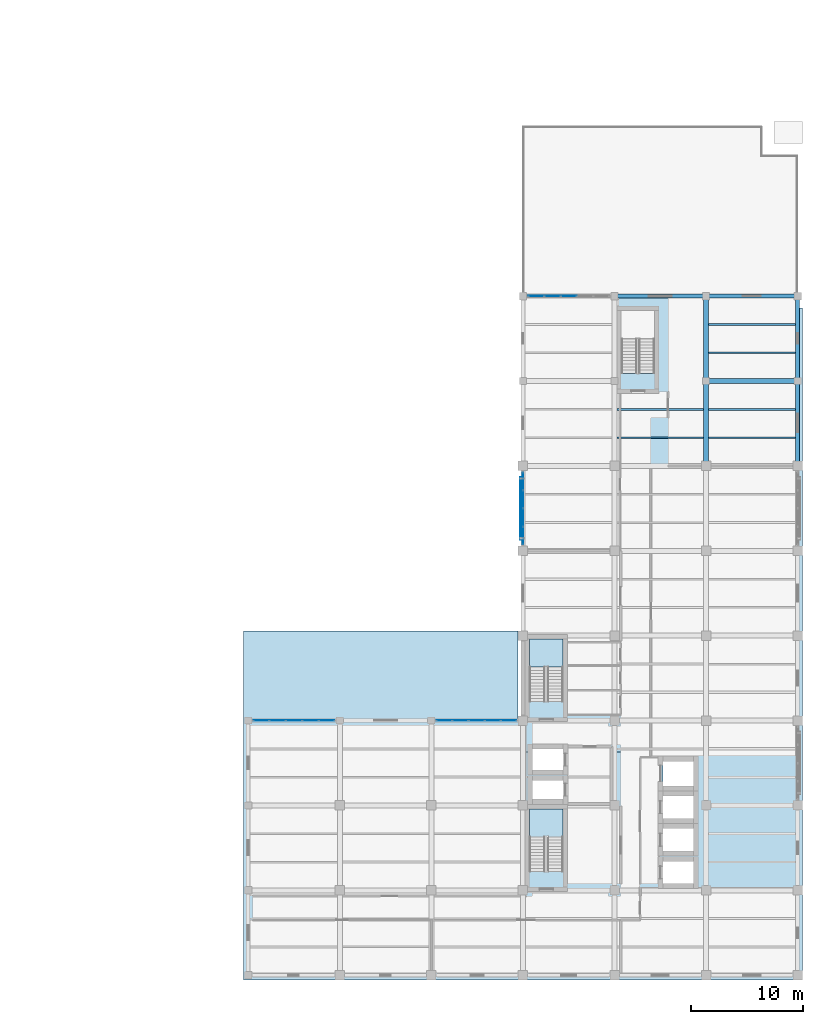
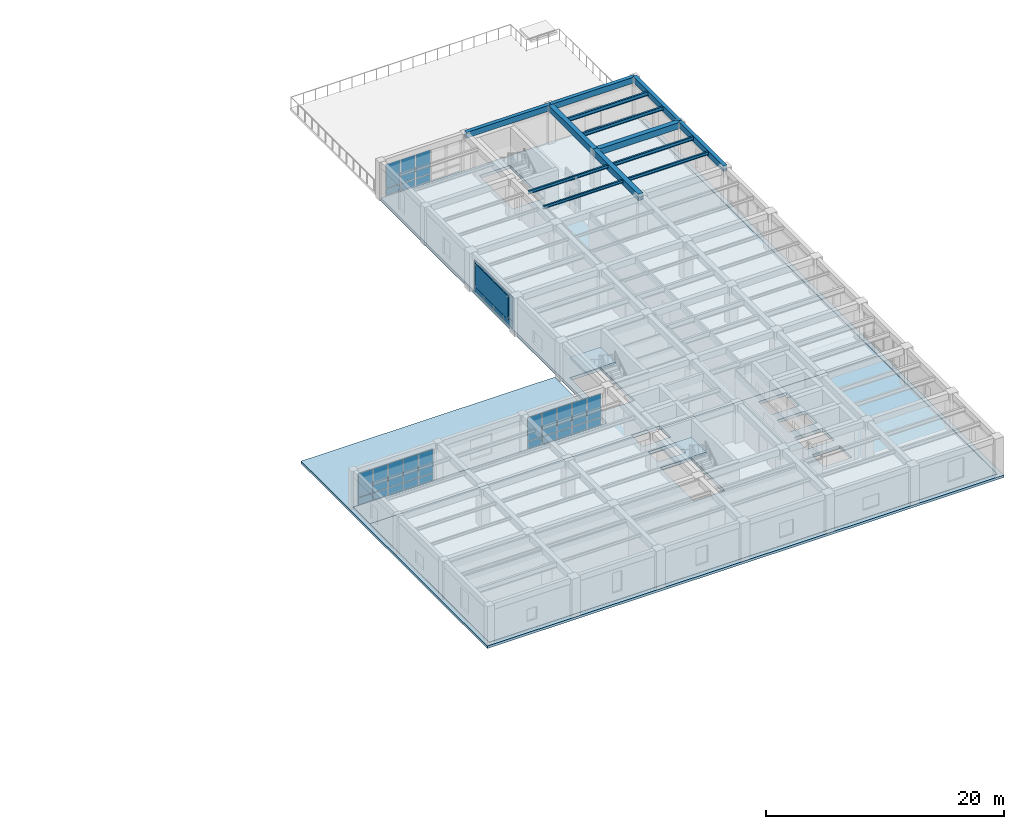
# One storey, part 8 of 22: 35 plates, 13 beams, 5 slabs, 6 elements without a shape of their own.
"""IFC4 building model written with IfcOpenShell, lengths in metres."""

from ifc_helpers import new_model, si_unit, direction, frame, origin, origin_2d, place, context, subcontext, project, spatial, polyline, rectangle, i_section, outline, extrude, material, layer, layer_set, material_profile, profile_set, type_object, element, aggregate, save


model = new_model("IFC4")

# Units and contexts
model_context = context("Model", 3, precision=1e-05, world=origin(), true_north=direction((0.0, 1.0)))
body_context = subcontext(model_context, "Body", "Model", "MODEL_VIEW")
ifc_project = project(units=[si_unit("LENGTHUNIT", "METRE"), si_unit("AREAUNIT", "SQUARE_METRE"), si_unit("VOLUMEUNIT", "CUBIC_METRE"), si_unit("PLANEANGLEUNIT", "RADIAN"), si_unit("MASSUNIT", "GRAM", prefix="KILO")], contexts=[model_context])

# Site, building, storey
site_placement = place(None, origin())
site = spatial("IfcSite", under=ifc_project, at=site_placement, CompositionType="ELEMENT")
building_placement = place(site_placement, origin())
building = spatial("IfcBuilding", under=site, at=building_placement, Name="Qandaris Square Conservatory and Botanical Centre", CompositionType="ELEMENT")
storey_placement = place(building_placement, frame((0.0, 0.0, 19.800048828125)))
storey = spatial("IfcBuildingStorey", under=building, at=storey_placement, Name="L04", CompositionType="ELEMENT", Elevation=19.800048828125)

# Beams
ifc_material_1 = material(Name="Steel S355", Category="steel")
ifc_material_profile_1 = material_profile(ifc_material_1, i_section(OverallWidth=0.14990234375, OverallDepth=0.300048828125, WebThickness=0.007080078125, FlangeThickness=0.0107421875, FilletRadius=0.014892578125, at=origin_2d()), Name="IPE 300")
ifc_profile_set_1 = profile_set([ifc_material_profile_1], Name="Steel S355")
beam_type_1 = type_object("IfcBeamType", Name="Composite Lab Joist IPE 300", PredefinedType="JOIST", material=ifc_profile_set_1)
beam_1_placement = place(storey_placement, frame((147.625, 64.7333984375, 3.780029296875), z_axis=(1.0, 0.0, 0.0), x_axis=(0.0, 1.0, 0.0)))
element("IfcBeam", 1, at=beam_1_placement, inside=storey, type_object=beam_type_1, Name="L04 Composite Joist 1805", PredefinedType="JOIST", context=body_context, shape_type="SweptSolid", body=[
    extrude(i_section(OverallWidth=0.14990234375, OverallDepth=0.300048828125, WebThickness=0.007080078125, FlangeThickness=0.0107421875, FilletRadius=0.014892578125, at=origin_2d()), origin(), (0.0, 0.0, 1.0), 7.75),
])
ifc_material_profile_2 = material_profile(ifc_material_1, i_section(OverallWidth=0.159912109375, OverallDepth=0.330078125, WebThickness=0.007568359375, FlangeThickness=0.011474609375, FilletRadius=0.01806640625, at=origin_2d()), Name="IPE 330")
ifc_profile_set_2 = profile_set([ifc_material_profile_2], Name="Steel S355")
beam_type_2 = type_object("IfcBeamType", Name="Composite Lab Joist IPE 330", PredefinedType="JOIST", material=ifc_profile_set_2)
beam_2_placement = place(storey_placement, frame((147.625, 67.2666015625, 3.764892578125), z_axis=(1.0, 0.0, 0.0), x_axis=(0.0, 1.0, 0.0)))
element("IfcBeam", 2, at=beam_2_placement, inside=storey, type_object=beam_type_2, Name="L04 Composite Joist 1806", PredefinedType="JOIST", context=body_context, shape_type="SweptSolid", body=[
    extrude(i_section(OverallWidth=0.159912109375, OverallDepth=0.330078125, WebThickness=0.007568359375, FlangeThickness=0.011474609375, FilletRadius=0.01806640625, at=origin_2d()), origin(), (0.0, 0.0, 1.0), 7.75),
])
beam_3_placement = place(storey_placement, frame((155.824951171875, 64.7333984375, 3.764892578125), z_axis=(1.0, 0.0, 0.0), x_axis=(0.0, 1.0, 0.0)))
element("IfcBeam", 3, at=beam_3_placement, inside=storey, type_object=beam_type_2, Name="L04 Composite Joist 1819", PredefinedType="JOIST", context=body_context, shape_type="SweptSolid", body=[
    extrude(i_section(OverallWidth=0.159912109375, OverallDepth=0.330078125, WebThickness=0.007568359375, FlangeThickness=0.011474609375, FilletRadius=0.01806640625, at=origin_2d()), origin(), (0.0, 0.0, 1.0), 7.800048828125),
])
ifc_material_profile_3 = material_profile(ifc_material_1, i_section(OverallWidth=0.169921875, OverallDepth=0.360107421875, WebThickness=0.008056640625, FlangeThickness=0.0126953125, FilletRadius=0.01806640625, at=origin_2d()), Name="IPE 360")
ifc_profile_set_3 = profile_set([ifc_material_profile_3], Name="Steel S355")
beam_type_3 = type_object("IfcBeamType", Name="Composite Lab Joist IPE 360", PredefinedType="JOIST", material=ifc_profile_set_3)
for number, where, z_axis, x_axis, name in (
    (4, (155.824951171875, 67.2666015625, 3.75), (1.0, 0.0, 0.0), (0.0, 1.0, 0.0), "L04 Composite Joist 1820"),
    (5, (155.824951171875, 72.333251953125, 3.75), (1.0, 0.0, 0.0), (0.0, 1.0, 0.0), "L04 Composite Joist 1821"),
):
    element("IfcBeam", number, at=place(storey_placement, frame(where, z_axis=z_axis, x_axis=x_axis)), inside=storey, type_object=beam_type_3, Name=name, PredefinedType="JOIST", context=body_context, shape_type="SweptSolid", body=[
        extrude(i_section(OverallWidth=0.169921875, OverallDepth=0.360107421875, WebThickness=0.008056640625, FlangeThickness=0.0126953125, FilletRadius=0.01806640625, at=origin_2d()), origin(), (0.0, 0.0, 1.0), 7.800048828125),
    ])
ifc_material_profile_4 = material_profile(ifc_material_1, i_section(OverallWidth=0.179931640625, OverallDepth=0.39990234375, WebThickness=0.008544921875, FlangeThickness=0.013427734375, FilletRadius=0.02099609375, at=origin_2d()), Name="IPE 400")
ifc_profile_set_4 = profile_set([ifc_material_profile_4], Name="Steel S355")
beam_type_4 = type_object("IfcBeamType", Name="Composite Plinth Joist IPE 400", PredefinedType="JOIST", material=ifc_profile_set_4)
beam_4_placement = place(storey_placement, frame((155.824951171875, 74.86669921875, 3.72998046875), z_axis=(1.0, 0.0, 0.0), x_axis=(0.0, 1.0, 0.0)))
element("IfcBeam", 6, at=beam_4_placement, inside=storey, type_object=beam_type_4, Name="L04 Composite Joist 1822", PredefinedType="JOIST", context=body_context, shape_type="SweptSolid", body=[
    extrude(i_section(OverallWidth=0.179931640625, OverallDepth=0.39990234375, WebThickness=0.008544921875, FlangeThickness=0.013427734375, FilletRadius=0.02099609375, at=origin_2d()), origin(), (0.0, 0.0, 1.0), 7.800048828125),
])
ifc_material_2 = material(Name="Concrete C50/60", Category="concrete")
ifc_material_profile_5 = material_profile(ifc_material_2, rectangle(XDim=0.35009765625, YDim=0.60009765625, at=origin_2d()), Name="RC-SP 350x600")
ifc_profile_set_5 = profile_set([ifc_material_profile_5], Name="Concrete C50/60")
beam_type_5 = type_object("IfcBeamType", Name="RC Edge Spandrel Beam 350x600", PredefinedType="SPANDREL", material=ifc_profile_set_5)
beam_5_placement = place(storey_placement, frame((147.39990234375, 77.39990234375, 3.639892578125), z_axis=(1.0, 0.0, 0.0), x_axis=(0.0, 1.0, 0.0)))
element("IfcBeam", 7, at=beam_5_placement, inside=storey, type_object=beam_type_5, Name="L04 Frame Beam 1724", PredefinedType="SPANDREL", context=body_context, shape_type="SweptSolid", body=[
    extrude(rectangle(XDim=0.35009765625, YDim=0.60009765625, at=origin_2d()), origin(), (0.0, 0.0, 1.0), 8.2001953125),
])
beam_6_placement = place(storey_placement, frame((155.60009765625, 77.39990234375, 3.639892578125), z_axis=(1.0, 0.0, 0.0), x_axis=(0.0, 1.0, 0.0)))
element("IfcBeam", 8, at=beam_6_placement, inside=storey, type_object=beam_type_5, Name="L04 Frame Beam 1725", PredefinedType="SPANDREL", context=body_context, shape_type="SweptSolid", body=[
    extrude(rectangle(XDim=0.35009765625, YDim=0.60009765625, at=origin_2d()), origin(), (0.0, 0.0, 1.0), 8.199951171875),
])
beam_7_placement = place(storey_placement, frame((163.800048828125, 62.199951171875, 3.639892578125), z_axis=(0.0, 1.0, 0.0), x_axis=(-1.0, 0.0, 0.0)))
element("IfcBeam", 9, at=beam_7_placement, inside=storey, type_object=beam_type_5, Name="L04 Frame Beam 1765", PredefinedType="SPANDREL", context=body_context, shape_type="SweptSolid", body=[
    extrude(rectangle(XDim=0.35009765625, YDim=0.60009765625, at=origin_2d()), origin(), (0.0, 0.0, 1.0), 7.60009765625),
])
beam_8_placement = place(storey_placement, frame((163.800048828125, 69.800048828125, 3.639892578125), z_axis=(0.0, 1.0, 0.0), x_axis=(-1.0, 0.0, 0.0)))
element("IfcBeam", 10, at=beam_8_placement, inside=storey, type_object=beam_type_5, Name="L04 Frame Beam 1766", PredefinedType="SPANDREL", context=body_context, shape_type="SweptSolid", body=[
    extrude(rectangle(XDim=0.35009765625, YDim=0.60009765625, at=origin_2d()), origin(), (0.0, 0.0, 1.0), 7.599853515625),
])
ifc_material_profile_6 = material_profile(ifc_material_2, rectangle(XDim=0.449951171875, YDim=0.64990234375, at=origin_2d()), Name="RC-BM 450x650")
ifc_profile_set_6 = profile_set([ifc_material_profile_6], Name="Concrete C50/60")
beam_type_6 = type_object("IfcBeamType", Name="RC Floor Girder 450x650", PredefinedType="BEAM", material=ifc_profile_set_6)
beam_9_placement = place(storey_placement, frame((155.60009765625, 69.800048828125, 3.614990234375), z_axis=(1.0, 0.0, 0.0), x_axis=(0.0, 1.0, 0.0)))
element("IfcBeam", 11, at=beam_9_placement, inside=storey, type_object=beam_type_6, Name="L04 Frame Beam 1722", PredefinedType="BEAM", context=body_context, shape_type="SweptSolid", body=[
    extrude(rectangle(XDim=0.449951171875, YDim=0.64990234375, at=origin_2d()), origin(), (0.0, 0.0, 1.0), 8.199951171875),
])
beam_10_placement = place(storey_placement, frame((155.60009765625, 62.199951171875, 3.614990234375), z_axis=(0.0, 1.0, 0.0), x_axis=(-1.0, 0.0, 0.0)))
element("IfcBeam", 12, at=beam_10_placement, inside=storey, type_object=beam_type_6, Name="L04 Frame Beam 1757", PredefinedType="BEAM", context=body_context, shape_type="SweptSolid", body=[
    extrude(rectangle(XDim=0.449951171875, YDim=0.64990234375, at=origin_2d()), origin(), (0.0, 0.0, 1.0), 7.60009765625),
])
beam_11_placement = place(storey_placement, frame((155.60009765625, 69.800048828125, 3.614990234375), z_axis=(0.0, 1.0, 0.0), x_axis=(-1.0, 0.0, 0.0)))
element("IfcBeam", 13, at=beam_11_placement, inside=storey, type_object=beam_type_6, Name="L04 Frame Beam 1758", PredefinedType="BEAM", context=body_context, shape_type="SweptSolid", body=[
    extrude(rectangle(XDim=0.449951171875, YDim=0.64990234375, at=origin_2d()), origin(), (0.0, 0.0, 1.0), 7.599853515625),
])

# Curtain wall, plates
ifc_material_3 = material(Name="Anodised Aluminium", Category="aluminium")
curtain_wall_type_1 = type_object("IfcCurtainWallType", Name="Unitised Curtain Wall CW-3-735x334", PredefinedType="USERDEFINED", material=ifc_material_3)
curtain_wall_1_placement = place(storey_placement, origin())
curtain_wall_1 = element("IfcCurtainWall", 14, at=curtain_wall_1_placement, inside=storey, type_object=curtain_wall_type_1, Name="Curtain Wall CW-TWR-L04-3-3", ObjectType="GLAZED CURTAIN WALL", PredefinedType="USERDEFINED")
ifc_material_4 = material(Name="Tempered Low-E Glass", Category="glass")
ifc_layer_1 = layer(ifc_material_4, 0.035888671875)
ifc_layer_set_1 = layer_set([ifc_layer_1], Name="Tempered Low-E Glass")
plate_type_1 = type_object("IfcPlateType", Name="Double-Glazed Solar Control Vision Unit 36mm", PredefinedType="CURTAIN_PANEL", material=ifc_layer_set_1)
plate_1_placement = place(storey_placement, frame((143.300048828125, 77.39990234375, 0.06494140625), z_axis=(0.0, 0.0, 1.0), x_axis=(-1.0, 0.0, 0.0)))
plate_1 = element("IfcPlate", 15, at=plate_1_placement, type_object=plate_type_1, Name="CW-3-735x334 panel 3.1", PredefinedType="CURTAIN_PANEL", context=body_context, shape_type="SweptSolid", body=[
    extrude(rectangle(XDim=1.405029296875, YDim=0.035888671875, at=origin_2d()), origin(), (0.0, 0.0, 1.0), 0.7041015625),
])
plate_2_placement = place(storey_placement, frame((143.300048828125, 77.39990234375, 0.833984375), z_axis=(0.0, 0.0, 1.0), x_axis=(-1.0, 0.0, 0.0)))
plate_2 = element("IfcPlate", 16, at=plate_2_placement, type_object=plate_type_1, Name="CW-3-735x334 panel 3.2", PredefinedType="CURTAIN_PANEL", context=body_context, shape_type="SweptSolid", body=[
    extrude(rectangle(XDim=1.405029296875, YDim=0.035888671875, at=origin_2d()), origin(), (0.0, 0.0, 1.0), 2.44091796875),
])
plate_3_placement = place(storey_placement, frame((141.830078125, 77.39990234375, 0.06494140625), z_axis=(0.0, 0.0, 1.0), x_axis=(-1.0, 0.0, 0.0)))
plate_3 = element("IfcPlate", 17, at=plate_3_placement, type_object=plate_type_1, Name="CW-3-735x334 panel 4.1", PredefinedType="CURTAIN_PANEL", context=body_context, shape_type="SweptSolid", body=[
    extrude(rectangle(XDim=1.405029296875, YDim=0.035888671875, at=origin_2d()), origin(), (0.0, 0.0, 1.0), 0.7041015625),
])
plate_4_placement = place(storey_placement, frame((141.830078125, 77.39990234375, 0.833984375), z_axis=(0.0, 0.0, 1.0), x_axis=(-1.0, 0.0, 0.0)))
plate_4 = element("IfcPlate", 18, at=plate_4_placement, type_object=plate_type_1, Name="CW-3-735x334 panel 4.2", PredefinedType="CURTAIN_PANEL", context=body_context, shape_type="SweptSolid", body=[
    extrude(rectangle(XDim=1.405029296875, YDim=0.035888671875, at=origin_2d()), origin(), (0.0, 0.0, 1.0), 2.44091796875),
])
plate_5_placement = place(storey_placement, frame((140.376220703125, 77.39990234375, 0.06494140625), z_axis=(0.0, 0.0, 1.0), x_axis=(-1.0, 0.0, 0.0)))
plate_5 = element("IfcPlate", 19, at=plate_5_placement, type_object=plate_type_1, Name="CW-3-735x334 panel 5.1", PredefinedType="CURTAIN_PANEL", context=body_context, shape_type="SweptSolid", body=[
    extrude(rectangle(XDim=1.37255859375, YDim=0.035888671875, at=origin_2d()), origin(), (0.0, 0.0, 1.0), 0.7041015625),
])
plate_6_placement = place(storey_placement, frame((140.376220703125, 77.39990234375, 0.833984375), z_axis=(0.0, 0.0, 1.0), x_axis=(-1.0, 0.0, 0.0)))
plate_6 = element("IfcPlate", 20, at=plate_6_placement, type_object=plate_type_1, Name="CW-3-735x334 panel 5.2", PredefinedType="CURTAIN_PANEL", context=body_context, shape_type="SweptSolid", body=[
    extrude(rectangle(XDim=1.37255859375, YDim=0.035888671875, at=origin_2d()), origin(), (0.0, 0.0, 1.0), 2.44091796875),
])
aggregate(curtain_wall_1, [plate_1, plate_2, plate_3, plate_4, plate_5, plate_6])

curtain_wall_type_2 = type_object("IfcCurtainWallType", Name="Unitised Curtain Wall CW-4-655x334", PredefinedType="USERDEFINED", material=ifc_material_3)
curtain_wall_2_placement = place(storey_placement, origin())
curtain_wall_2 = element("IfcCurtainWall", 21, at=curtain_wall_2_placement, inside=storey, type_object=curtain_wall_type_2, Name="Curtain Wall CW-TWR-L04-4-3", ObjectType="GLAZED CURTAIN WALL", PredefinedType="USERDEFINED")
plate_7_placement = place(storey_placement, frame((139.199951171875, 60.840087890625, 0.06494140625), z_axis=(0.0, 0.0, 1.0), x_axis=(0.0, -1.0, 0.0)))
plate_7 = element("IfcPlate", 22, at=plate_7_placement, type_object=plate_type_1, Name="CW-4-655x334 panel 1.1", PredefinedType="CURTAIN_PANEL", context=body_context, shape_type="SweptSolid", body=[
    extrude(rectangle(XDim=1.5400390625, YDim=0.035888671875, at=origin_2d()), origin(), (0.0, 0.0, 1.0), 0.7041015625),
])
plate_8_placement = place(storey_placement, frame((139.199951171875, 60.840087890625, 0.833984375), z_axis=(0.0, 0.0, 1.0), x_axis=(0.0, -1.0, 0.0)))
plate_8 = element("IfcPlate", 23, at=plate_8_placement, type_object=plate_type_1, Name="CW-4-655x334 panel 1.2", PredefinedType="CURTAIN_PANEL", context=body_context, shape_type="SweptSolid", body=[
    extrude(rectangle(XDim=1.5400390625, YDim=0.035888671875, at=origin_2d()), origin(), (0.0, 0.0, 1.0), 2.44091796875),
])
plate_9_placement = place(storey_placement, frame((139.199951171875, 59.21875, 0.06494140625), z_axis=(0.0, 0.0, 1.0), x_axis=(0.0, -1.0, 0.0)))
plate_9 = element("IfcPlate", 24, at=plate_9_placement, type_object=plate_type_1, Name="CW-4-655x334 panel 2.1", PredefinedType="CURTAIN_PANEL", context=body_context, shape_type="SweptSolid", body=[
    extrude(rectangle(XDim=1.572509765625, YDim=0.035888671875, at=origin_2d()), origin(), (0.0, 0.0, 1.0), 0.7041015625),
])
plate_10_placement = place(storey_placement, frame((139.199951171875, 59.21875, 0.833984375), z_axis=(0.0, 0.0, 1.0), x_axis=(0.0, -1.0, 0.0)))
plate_10 = element("IfcPlate", 25, at=plate_10_placement, type_object=plate_type_1, Name="CW-4-655x334 panel 2.2", PredefinedType="CURTAIN_PANEL", context=body_context, shape_type="SweptSolid", body=[
    extrude(rectangle(XDim=1.572509765625, YDim=0.035888671875, at=origin_2d()), origin(), (0.0, 0.0, 1.0), 2.44091796875),
])
plate_11_placement = place(storey_placement, frame((139.199951171875, 57.581298828125, 0.06494140625), z_axis=(0.0, 0.0, 1.0), x_axis=(0.0, -1.0, 0.0)))
plate_11 = element("IfcPlate", 26, at=plate_11_placement, type_object=plate_type_1, Name="CW-4-655x334 panel 3.1", PredefinedType="CURTAIN_PANEL", context=body_context, shape_type="SweptSolid", body=[
    extrude(rectangle(XDim=1.572509765625, YDim=0.035888671875, at=origin_2d()), origin(), (0.0, 0.0, 1.0), 0.7041015625),
])
plate_12_placement = place(storey_placement, frame((139.199951171875, 57.581298828125, 0.833984375), z_axis=(0.0, 0.0, 1.0), x_axis=(0.0, -1.0, 0.0)))
plate_12 = element("IfcPlate", 27, at=plate_12_placement, type_object=plate_type_1, Name="CW-4-655x334 panel 3.2", PredefinedType="CURTAIN_PANEL", context=body_context, shape_type="SweptSolid", body=[
    extrude(rectangle(XDim=1.572509765625, YDim=0.035888671875, at=origin_2d()), origin(), (0.0, 0.0, 1.0), 2.44091796875),
])
plate_13_placement = place(storey_placement, frame((139.199951171875, 55.9599609375, 0.06494140625), z_axis=(0.0, 0.0, 1.0), x_axis=(0.0, -1.0, 0.0)))
plate_13 = element("IfcPlate", 28, at=plate_13_placement, type_object=plate_type_1, Name="CW-4-655x334 panel 4.1", PredefinedType="CURTAIN_PANEL", context=body_context, shape_type="SweptSolid", body=[
    extrude(rectangle(XDim=1.5400390625, YDim=0.035888671875, at=origin_2d()), origin(), (0.0, 0.0, 1.0), 0.7041015625),
])
plate_14_placement = place(storey_placement, frame((139.199951171875, 55.9599609375, 0.833984375), z_axis=(0.0, 0.0, 1.0), x_axis=(0.0, -1.0, 0.0)))
plate_14 = element("IfcPlate", 29, at=plate_14_placement, type_object=plate_type_1, Name="CW-4-655x334 panel 4.2", PredefinedType="CURTAIN_PANEL", context=body_context, shape_type="SweptSolid", body=[
    extrude(rectangle(XDim=1.5400390625, YDim=0.035888671875, at=origin_2d()), origin(), (0.0, 0.0, 1.0), 2.44091796875),
])
aggregate(curtain_wall_2, [plate_7, plate_8, plate_9, plate_10, plate_11, plate_12, plate_13, plate_14])

curtain_wall_type_3 = type_object("IfcCurtainWallType", Name="Unitised Curtain Wall CW-4-725x334", PredefinedType="USERDEFINED", material=ifc_material_3)
curtain_wall_3_placement = place(storey_placement, origin())
curtain_wall_3 = element("IfcCurtainWall", 30, at=curtain_wall_3_placement, inside=storey, type_object=curtain_wall_type_3, Name="Curtain Wall CW-TWR-L04-5-1", ObjectType="GLAZED CURTAIN WALL", PredefinedType="USERDEFINED")
plate_15_placement = place(storey_placement, frame((137.933837890625, 39.39990234375, 0.06494140625), z_axis=(0.0, 0.0, 1.0), x_axis=(-1.0, 0.0, 0.0)))
plate_15 = element("IfcPlate", 31, at=plate_15_placement, type_object=plate_type_1, Name="CW-4-725x334 panel 1.1", PredefinedType="CURTAIN_PANEL", context=body_context, shape_type="SweptSolid", body=[
    extrude(rectangle(XDim=1.3525390625, YDim=0.035888671875, at=origin_2d()), origin(), (0.0, 0.0, 1.0), 0.7041015625),
])
plate_16_placement = place(storey_placement, frame((137.933837890625, 39.39990234375, 0.833984375), z_axis=(0.0, 0.0, 1.0), x_axis=(-1.0, 0.0, 0.0)))
plate_16 = element("IfcPlate", 32, at=plate_16_placement, type_object=plate_type_1, Name="CW-4-725x334 panel 1.2", PredefinedType="CURTAIN_PANEL", context=body_context, shape_type="SweptSolid", body=[
    extrude(rectangle(XDim=1.3525390625, YDim=0.035888671875, at=origin_2d()), origin(), (0.0, 0.0, 1.0), 2.44091796875),
])
plate_17_placement = place(storey_placement, frame((136.5, 39.39990234375, 0.06494140625), z_axis=(0.0, 0.0, 1.0), x_axis=(-1.0, 0.0, 0.0)))
plate_17 = element("IfcPlate", 33, at=plate_17_placement, type_object=plate_type_1, Name="CW-4-725x334 panel 2.1", PredefinedType="CURTAIN_PANEL", context=body_context, shape_type="SweptSolid", body=[
    extrude(rectangle(XDim=1.385009765625, YDim=0.035888671875, at=origin_2d()), origin(), (0.0, 0.0, 1.0), 0.7041015625),
])
plate_18_placement = place(storey_placement, frame((136.5, 39.39990234375, 0.833984375), z_axis=(0.0, 0.0, 1.0), x_axis=(-1.0, 0.0, 0.0)))
plate_18 = element("IfcPlate", 34, at=plate_18_placement, type_object=plate_type_1, Name="CW-4-725x334 panel 2.2", PredefinedType="CURTAIN_PANEL", context=body_context, shape_type="SweptSolid", body=[
    extrude(rectangle(XDim=1.385009765625, YDim=0.035888671875, at=origin_2d()), origin(), (0.0, 0.0, 1.0), 2.44091796875),
])
plate_19_placement = place(storey_placement, frame((135.050048828125, 39.39990234375, 0.06494140625), z_axis=(0.0, 0.0, 1.0), x_axis=(-1.0, 0.0, 0.0)))
plate_19 = element("IfcPlate", 35, at=plate_19_placement, type_object=plate_type_1, Name="CW-4-725x334 panel 3.1", PredefinedType="CURTAIN_PANEL", context=body_context, shape_type="SweptSolid", body=[
    extrude(rectangle(XDim=1.385009765625, YDim=0.035888671875, at=origin_2d()), origin(), (0.0, 0.0, 1.0), 0.7041015625),
])
plate_20_placement = place(storey_placement, frame((135.050048828125, 39.39990234375, 0.833984375), z_axis=(0.0, 0.0, 1.0), x_axis=(-1.0, 0.0, 0.0)))
plate_20 = element("IfcPlate", 36, at=plate_20_placement, type_object=plate_type_1, Name="CW-4-725x334 panel 3.2", PredefinedType="CURTAIN_PANEL", context=body_context, shape_type="SweptSolid", body=[
    extrude(rectangle(XDim=1.385009765625, YDim=0.035888671875, at=origin_2d()), origin(), (0.0, 0.0, 1.0), 2.44091796875),
])
plate_21_placement = place(storey_placement, frame((133.60009765625, 39.39990234375, 0.06494140625), z_axis=(0.0, 0.0, 1.0), x_axis=(-1.0, 0.0, 0.0)))
plate_21 = element("IfcPlate", 37, at=plate_21_placement, type_object=plate_type_1, Name="CW-4-725x334 panel 4.1", PredefinedType="CURTAIN_PANEL", context=body_context, shape_type="SweptSolid", body=[
    extrude(rectangle(XDim=1.385009765625, YDim=0.035888671875, at=origin_2d()), origin(), (0.0, 0.0, 1.0), 0.7041015625),
])
plate_22_placement = place(storey_placement, frame((133.60009765625, 39.39990234375, 0.833984375), z_axis=(0.0, 0.0, 1.0), x_axis=(-1.0, 0.0, 0.0)))
plate_22 = element("IfcPlate", 38, at=plate_22_placement, type_object=plate_type_1, Name="CW-4-725x334 panel 4.2", PredefinedType="CURTAIN_PANEL", context=body_context, shape_type="SweptSolid", body=[
    extrude(rectangle(XDim=1.385009765625, YDim=0.035888671875, at=origin_2d()), origin(), (0.0, 0.0, 1.0), 2.44091796875),
])
plate_23_placement = place(storey_placement, frame((132.166259765625, 39.39990234375, 0.06494140625), z_axis=(0.0, 0.0, 1.0), x_axis=(-1.0, 0.0, 0.0)))
plate_23 = element("IfcPlate", 39, at=plate_23_placement, type_object=plate_type_1, Name="CW-4-725x334 panel 5.1", PredefinedType="CURTAIN_PANEL", context=body_context, shape_type="SweptSolid", body=[
    extrude(rectangle(XDim=1.3525390625, YDim=0.035888671875, at=origin_2d()), origin(), (0.0, 0.0, 1.0), 0.7041015625),
])
plate_24_placement = place(storey_placement, frame((132.166259765625, 39.39990234375, 0.833984375), z_axis=(0.0, 0.0, 1.0), x_axis=(-1.0, 0.0, 0.0)))
plate_24 = element("IfcPlate", 40, at=plate_24_placement, type_object=plate_type_1, Name="CW-4-725x334 panel 5.2", PredefinedType="CURTAIN_PANEL", context=body_context, shape_type="SweptSolid", body=[
    extrude(rectangle(XDim=1.3525390625, YDim=0.035888671875, at=origin_2d()), origin(), (0.0, 0.0, 1.0), 2.44091796875),
])
aggregate(curtain_wall_3, [plate_15, plate_16, plate_17, plate_18, plate_19, plate_20, plate_21, plate_22, plate_23, plate_24])

curtain_wall_type_4 = type_object("IfcCurtainWallType", Name="Unitised Curtain Wall CW-4-735x334", PredefinedType="USERDEFINED", material=ifc_material_3)
curtain_wall_4_placement = place(storey_placement, origin())
curtain_wall_4 = element("IfcCurtainWall", 41, at=curtain_wall_4_placement, inside=storey, type_object=curtain_wall_type_4, Name="Curtain Wall CW-TWR-L04-5-3", ObjectType="GLAZED CURTAIN WALL", PredefinedType="USERDEFINED")
plate_25_placement = place(storey_placement, frame((121.623779296875, 39.39990234375, 0.06494140625), z_axis=(0.0, 0.0, 1.0), x_axis=(-1.0, 0.0, 0.0)))
plate_25 = element("IfcPlate", 42, at=plate_25_placement, type_object=plate_type_1, Name="CW-4-735x334 panel 1.1", PredefinedType="CURTAIN_PANEL", context=body_context, shape_type="SweptSolid", body=[
    extrude(rectangle(XDim=1.37255859375, YDim=0.035888671875, at=origin_2d()), origin(), (0.0, 0.0, 1.0), 0.7041015625),
])
plate_26_placement = place(storey_placement, frame((121.623779296875, 39.39990234375, 0.833984375), z_axis=(0.0, 0.0, 1.0), x_axis=(-1.0, 0.0, 0.0)))
plate_26 = element("IfcPlate", 43, at=plate_26_placement, type_object=plate_type_1, Name="CW-4-735x334 panel 1.2", PredefinedType="CURTAIN_PANEL", context=body_context, shape_type="SweptSolid", body=[
    extrude(rectangle(XDim=1.37255859375, YDim=0.035888671875, at=origin_2d()), origin(), (0.0, 0.0, 1.0), 2.44091796875),
])
plate_27_placement = place(storey_placement, frame((120.169921875, 39.39990234375, 0.06494140625), z_axis=(0.0, 0.0, 1.0), x_axis=(-1.0, 0.0, 0.0)))
plate_27 = element("IfcPlate", 44, at=plate_27_placement, type_object=plate_type_1, Name="CW-4-735x334 panel 2.1", PredefinedType="CURTAIN_PANEL", context=body_context, shape_type="SweptSolid", body=[
    extrude(rectangle(XDim=1.405029296875, YDim=0.035888671875, at=origin_2d()), origin(), (0.0, 0.0, 1.0), 0.7041015625),
])
plate_28_placement = place(storey_placement, frame((120.169921875, 39.39990234375, 0.833984375), z_axis=(0.0, 0.0, 1.0), x_axis=(-1.0, 0.0, 0.0)))
plate_28 = element("IfcPlate", 45, at=plate_28_placement, type_object=plate_type_1, Name="CW-4-735x334 panel 2.2", PredefinedType="CURTAIN_PANEL", context=body_context, shape_type="SweptSolid", body=[
    extrude(rectangle(XDim=1.405029296875, YDim=0.035888671875, at=origin_2d()), origin(), (0.0, 0.0, 1.0), 2.44091796875),
])
plate_29_placement = place(storey_placement, frame((118.699951171875, 39.39990234375, 0.06494140625), z_axis=(0.0, 0.0, 1.0), x_axis=(-1.0, 0.0, 0.0)))
plate_29 = element("IfcPlate", 46, at=plate_29_placement, type_object=plate_type_1, Name="CW-4-735x334 panel 3.1", PredefinedType="CURTAIN_PANEL", context=body_context, shape_type="SweptSolid", body=[
    extrude(rectangle(XDim=1.405029296875, YDim=0.035888671875, at=origin_2d()), origin(), (0.0, 0.0, 1.0), 0.7041015625),
])
plate_30_placement = place(storey_placement, frame((118.699951171875, 39.39990234375, 0.833984375), z_axis=(0.0, 0.0, 1.0), x_axis=(-1.0, 0.0, 0.0)))
plate_30 = element("IfcPlate", 47, at=plate_30_placement, type_object=plate_type_1, Name="CW-4-735x334 panel 3.2", PredefinedType="CURTAIN_PANEL", context=body_context, shape_type="SweptSolid", body=[
    extrude(rectangle(XDim=1.405029296875, YDim=0.035888671875, at=origin_2d()), origin(), (0.0, 0.0, 1.0), 2.44091796875),
])
plate_31_placement = place(storey_placement, frame((117.22998046875, 39.39990234375, 0.06494140625), z_axis=(0.0, 0.0, 1.0), x_axis=(-1.0, 0.0, 0.0)))
plate_31 = element("IfcPlate", 48, at=plate_31_placement, type_object=plate_type_1, Name="CW-4-735x334 panel 4.1", PredefinedType="CURTAIN_PANEL", context=body_context, shape_type="SweptSolid", body=[
    extrude(rectangle(XDim=1.405029296875, YDim=0.035888671875, at=origin_2d()), origin(), (0.0, 0.0, 1.0), 0.7041015625),
])
plate_32_placement = place(storey_placement, frame((117.22998046875, 39.39990234375, 0.833984375), z_axis=(0.0, 0.0, 1.0), x_axis=(-1.0, 0.0, 0.0)))
plate_32 = element("IfcPlate", 49, at=plate_32_placement, type_object=plate_type_1, Name="CW-4-735x334 panel 4.2", PredefinedType="CURTAIN_PANEL", context=body_context, shape_type="SweptSolid", body=[
    extrude(rectangle(XDim=1.405029296875, YDim=0.035888671875, at=origin_2d()), origin(), (0.0, 0.0, 1.0), 2.44091796875),
])
plate_33_placement = place(storey_placement, frame((115.7763671875, 39.39990234375, 0.06494140625), z_axis=(0.0, 0.0, 1.0), x_axis=(-1.0, 0.0, 0.0)))
plate_33 = element("IfcPlate", 50, at=plate_33_placement, type_object=plate_type_1, Name="CW-4-735x334 panel 5.1", PredefinedType="CURTAIN_PANEL", context=body_context, shape_type="SweptSolid", body=[
    extrude(rectangle(XDim=1.37255859375, YDim=0.035888671875, at=origin_2d()), origin(), (0.0, 0.0, 1.0), 0.7041015625),
])
plate_34_placement = place(storey_placement, frame((115.7763671875, 39.39990234375, 0.833984375), z_axis=(0.0, 0.0, 1.0), x_axis=(-1.0, 0.0, 0.0)))
plate_34 = element("IfcPlate", 51, at=plate_34_placement, type_object=plate_type_1, Name="CW-4-735x334 panel 5.2", PredefinedType="CURTAIN_PANEL", context=body_context, shape_type="SweptSolid", body=[
    extrude(rectangle(XDim=1.37255859375, YDim=0.035888671875, at=origin_2d()), origin(), (0.0, 0.0, 1.0), 2.44091796875),
])
aggregate(curtain_wall_4, [plate_25, plate_26, plate_27, plate_28, plate_29, plate_30, plate_31, plate_32, plate_33, plate_34])

# Plate
ifc_material_5 = material(Name="Weathering Bronze Alloy", Category="metal")
ifc_layer_2 = layer(ifc_material_5, 0.044921875)
ifc_layer_set_2 = layer_set([ifc_layer_2], Name="Weathering Bronze Alloy")
plate_type_2 = type_object("IfcPlateType", Name="Perforated Bronze Mashrabiya Solar Screen Panel", PredefinedType="USERDEFINED", material=ifc_layer_set_2)
plate_35_placement = place(storey_placement, frame((138.97998046875, 58.39990234375, 0.83154296875), z_axis=(0.0, 0.0, 1.0), x_axis=(0.0, -1.0, 0.0)))
element("IfcPlate", 52, at=plate_35_placement, inside=storey, type_object=plate_type_2, Name="Mashrabiya Solar Screen CW-TWR-L04-4-3", ObjectType="SOLAR SCREEN", PredefinedType="USERDEFINED", context=body_context, shape_type="SweptSolid", body=[
    extrude(rectangle(XDim=5.590087890625, YDim=0.044921875, at=origin_2d()), origin(), (0.0, 0.0, 1.0), 2.41845703125),
])

# Slab
ifc_material_6 = material(Name="Concrete C40/50", Category="concrete")
ifc_layer_3 = layer(ifc_material_6, 0.2548828125)
ifc_layer_set_3 = layer_set([ifc_layer_3], Name="Concrete C40/50")
slab_type_1 = type_object("IfcSlabType", Name="RC Flat Roof Slab 255mm", PredefinedType="ROOF", material=ifc_layer_set_3)
slab_1_placement = place(storey_placement, frame((0.0, 0.0, -0.255126953125)))
element("IfcSlab", 53, at=slab_1_placement, inside=storey, type_object=slab_type_1, Name="Step-Back Flat Roof Slab L04-1", PredefinedType="ROOF", context=body_context, shape_type="SweptSolid", body=[
    extrude(outline(polyline([(138.75, 47.419921875), (138.75, 39.419921875), (114.580078125, 39.419921875), (114.580078125, 16.580078125), (163.820068359375, 16.580078125), (163.820068359375, 76.330078125), (164.219970703125, 76.330078125), (164.219970703125, 16.179931640625), (114.179931640625, 16.179931640625), (114.179931640625, 47.419921875), (138.75, 47.419921875)])), origin(), (0.0, 0.0, 1.0), 0.255126953125),
])

# Stair, slab
stair_type = type_object("IfcStairType", Name="Core Escape Scissor Stair", PredefinedType="HALF_TURN_STAIR", material=ifc_material_6)
stair_1_placement = place(storey_placement, origin())
stair_1 = element("IfcStair", 54, at=stair_1_placement, inside=storey, type_object=stair_type, Name="L04 Tower South Exit Stair ST-1", PredefinedType="HALF_TURN_STAIR")
ifc_layer_4 = layer(ifc_material_6, 0.219970703125)
ifc_layer_set_4 = layer_set([ifc_layer_4], Name="Concrete C40/50")
slab_type_2 = type_object("IfcSlabType", Name="RC Stair Half-Landing Slab 220mm", PredefinedType="LANDING", material=ifc_layer_set_4)
slab_2_placement = place(storey_placement, frame((0.0, 0.0, 1.89990234375)))
slab_2 = element("IfcSlab", 55, at=slab_2_placement, type_object=slab_type_2, Name="ST-1 landing 1", PredefinedType="LANDING", context=body_context, shape_type="SweptSolid", body=[
    extrude(outline(polyline([(142.800048828125, 28.97998046875), (142.800048828125, 31.5), (139.800048828125, 31.5), (139.800048828125, 28.97998046875), (142.800048828125, 28.97998046875)])), origin(), (0.0, 0.0, 1.0), 0.199951171875),
])
aggregate(stair_1, [slab_2])

stair_2_placement = place(storey_placement, origin())
stair_2 = element("IfcStair", 56, at=stair_2_placement, inside=storey, type_object=stair_type, Name="L04 Tower North Exit Stair ST-2", PredefinedType="HALF_TURN_STAIR")
slab_3_placement = place(storey_placement, frame((0.0, 0.0, 1.89990234375)))
slab_3 = element("IfcSlab", 57, at=slab_3_placement, type_object=slab_type_2, Name="ST-2 landing 1", PredefinedType="LANDING", context=body_context, shape_type="SweptSolid", body=[
    extrude(outline(polyline([(142.800048828125, 44.179931640625), (142.800048828125, 46.699951171875), (139.800048828125, 46.699951171875), (139.800048828125, 44.179931640625), (142.800048828125, 44.179931640625)])), origin(), (0.0, 0.0, 1.0), 0.199951171875),
])
aggregate(stair_2, [slab_3])

# Slabs
ifc_layer_5 = layer(ifc_material_6, 0.320068359375)
ifc_layer_set_5 = layer_set([ifc_layer_5], Name="Concrete C40/50")
slab_type_3 = type_object("IfcSlabType", Name="RC Structural Slab 320mm", PredefinedType="FLOOR", material=ifc_layer_set_5)
slab_4_placement = place(storey_placement, frame((0.0, 0.0, -0.320068359375)))
element("IfcSlab", 58, at=slab_4_placement, inside=storey, type_object=slab_type_3, Name="L04 Structural Slab V4L04", PredefinedType="FLOOR", context=body_context, shape_type="SweptSolid", body=[
    extrude(outline(polyline([(163.800048828125, 16.60009765625), (114.60009765625, 16.60009765625), (114.60009765625, 36.60009765625), (140.06005859375, 36.60009765625), (140.06005859375, 34.9599609375), (142.800048828125, 34.9599609375), (142.800048828125, 36.60009765625), (163.800048828125, 36.60009765625), (163.800048828125, 16.60009765625)]), holes=[polyline([(151.75, 24.800048828125), (154.449951171875, 24.800048828125), (154.449951171875, 26.800048828125), (151.75, 26.800048828125), (151.75, 24.800048828125)]), polyline([(139.800048828125, 25.89990234375), (142.800048828125, 25.89990234375), (142.800048828125, 31.5), (139.800048828125, 31.5), (139.800048828125, 25.89990234375)]), polyline([(151.75, 27.719970703125), (154.449951171875, 27.719970703125), (154.449951171875, 29.719970703125), (151.75, 29.719970703125), (151.75, 27.719970703125)]), polyline([(151.75, 30.639892578125), (154.449951171875, 30.639892578125), (154.449951171875, 32.639892578125), (151.75, 32.639892578125), (151.75, 30.639892578125)]), polyline([(140.06005859375, 32.360107421875), (142.800048828125, 32.360107421875), (142.800048828125, 34.0400390625), (140.06005859375, 34.0400390625), (140.06005859375, 32.360107421875)]), polyline([(151.75, 33.56005859375), (154.449951171875, 33.56005859375), (154.449951171875, 35.760009765625), (151.75, 35.760009765625), (151.75, 33.56005859375)])]), origin(), (0.0, 0.0, 1.0), 0.320068359375),
])
slab_5_placement = place(storey_placement, frame((0.0, 0.0, -0.320068359375)))
element("IfcSlab", 59, at=slab_5_placement, inside=storey, type_object=slab_type_3, Name="L04 Structural Slab V4L04", PredefinedType="FLOOR", context=body_context, shape_type="SweptSolid", body=[
    extrude(outline(polyline([(139.199951171875, 39.39990234375), (139.199951171875, 77.39990234375), (163.800048828125, 77.39990234375), (163.800048828125, 36.60009765625), (142.800048828125, 36.60009765625), (142.800048828125, 36.840087890625), (140.06005859375, 36.840087890625), (140.06005859375, 36.60009765625), (114.60009765625, 36.60009765625), (114.60009765625, 39.39990234375), (139.199951171875, 39.39990234375)]), holes=[polyline([(139.800048828125, 46.699951171875), (139.800048828125, 41.10009765625), (142.800048828125, 41.10009765625), (142.800048828125, 46.699951171875), (139.800048828125, 46.699951171875)]), polyline([(148.0, 76.10009765625), (148.0, 70.5), (151.0, 70.5), (151.0, 76.10009765625), (148.0, 76.10009765625)])]), origin(), (0.0, 0.0, 1.0), 0.320068359375),
])

save(model, "model.ifc")
